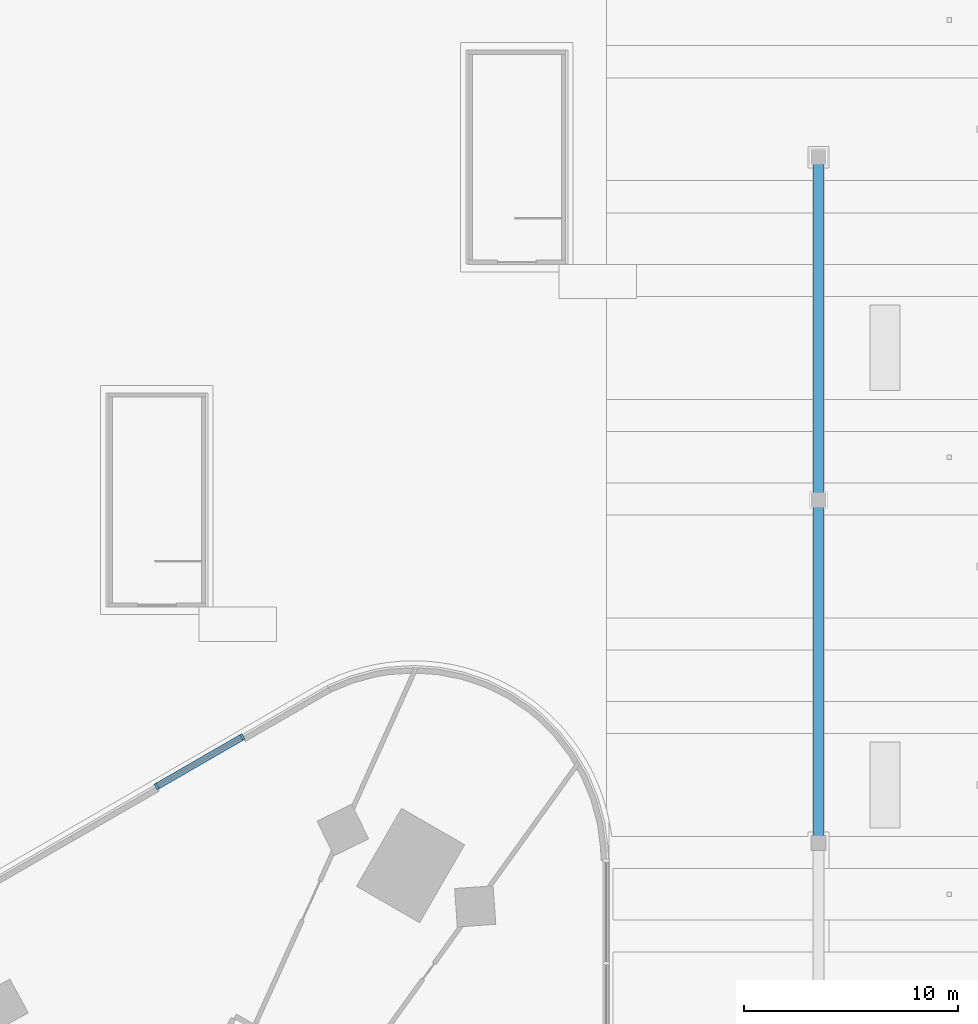
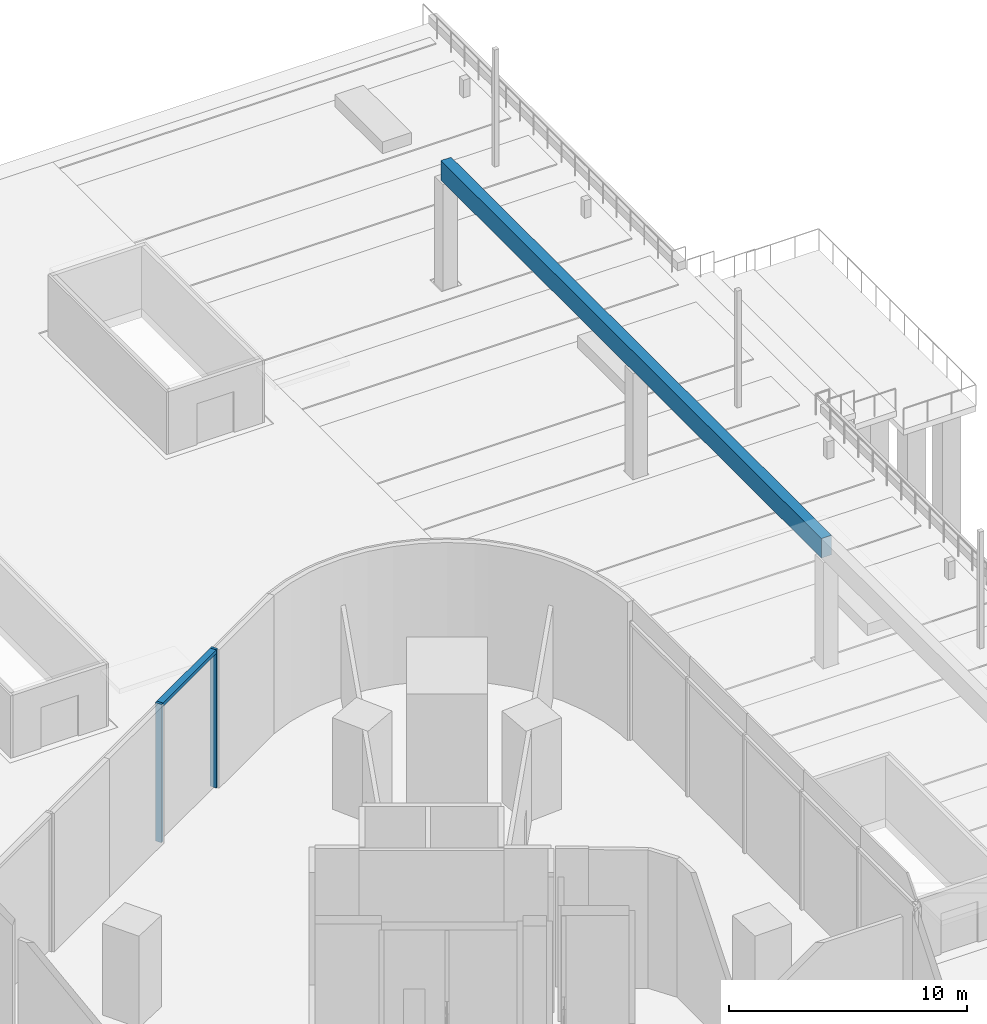
# One storey, part 8 of 41: 3 members, 1 beam, 1 element without a shape of its own.
"""IFC4 building model written with IfcOpenShell, lengths in metres."""

from ifc_helpers import new_model, si_unit, direction, frame, origin, origin_2d, place, context, subcontext, project, spatial, rectangle, extrude, material, material_profile, profile_set, type_object, element, aggregate, save


model = new_model("IFC4")

# Units and contexts
model_context = context("Model", 3, precision=1e-05, world=origin(), true_north=direction((0.0, 1.0)))
body_context = subcontext(model_context, "Body", "Model", "MODEL_VIEW")
ifc_project = project(units=[si_unit("LENGTHUNIT", "METRE"), si_unit("AREAUNIT", "SQUARE_METRE"), si_unit("VOLUMEUNIT", "CUBIC_METRE"), si_unit("PLANEANGLEUNIT", "RADIAN"), si_unit("MASSUNIT", "GRAM", prefix="KILO")], contexts=[model_context])

# Site, building, storey
site_placement = place(None, origin())
site = spatial("IfcSite", under=ifc_project, at=site_placement, CompositionType="ELEMENT")
building_placement = place(site_placement, origin())
building = spatial("IfcBuilding", under=site, at=building_placement, Name="Tamra Quay Hotel Tower", CompositionType="ELEMENT")
storey_placement = place(building_placement, origin())
storey = spatial("IfcBuildingStorey", under=building, at=storey_placement, Name="L00", CompositionType="ELEMENT", Elevation=0.0)

# Curtain wall, members
ifc_material_1 = material(Name="Aluminium 6063 anodised dark grey", Category="aluminium")
curtain_wall_type = type_object("IfcCurtainWallType", Name="CW4 CURTAIN WALL", PredefinedType="NOTDEFINED", material=ifc_material_1)
curtain_wall_placement = place(storey_placement, origin())
curtain_wall = element("IfcCurtainWall", 1, at=curtain_wall_placement, inside=storey, type_object=curtain_wall_type, Name="CW4 north-west face L00", PredefinedType="NOTDEFINED")
ifc_material_profile_1 = material_profile(ifc_material_1, rectangle(XDim=0.300048828125, YDim=0.1201171875, at=origin_2d()), Name="MULLION 120X300")
ifc_profile_set_1 = profile_set([ifc_material_profile_1], Name="Aluminium 6063 anodised dark grey")
member_type_1 = type_object("IfcMemberType", Name="MULLION CW4", PredefinedType="MULLION", material=ifc_profile_set_1)
member_1_placement = place(storey_placement, frame((10.017578125, 36.9404296875, 0.0), z_axis=(0.0, 0.0, 1.0), x_axis=(-0.499671576337, 0.866214936261, 0.0)))
member_1 = element("IfcMember", 2, at=member_1_placement, type_object=member_type_1, Name="CW4 mullion L00.NW.1", PredefinedType="MULLION", context=body_context, shape_type="SweptSolid", body=[
    extrude(rectangle(XDim=0.300048828125, YDim=0.1201171875, at=origin_2d()), origin(), (0.0, 0.0, 1.0), 7.10009765625),
])
member_2_placement = place(storey_placement, frame((6.015869140625, 34.632080078125, 0.0), z_axis=(0.0, 0.0, 1.0), x_axis=(-0.499671576337, 0.866214936261, 0.0)))
member_2 = element("IfcMember", 3, at=member_2_placement, type_object=member_type_1, Name="CW4 mullion L00.NW.2", PredefinedType="MULLION", context=body_context, shape_type="SweptSolid", body=[
    extrude(rectangle(XDim=0.300048828125, YDim=0.1201171875, at=origin_2d()), origin(), (0.0, 0.0, 1.0), 7.10009765625),
])

# Beam
ifc_material_2 = material(Name="Concrete M60", Category="concrete")
ifc_material_profile_2 = material_profile(ifc_material_2, rectangle(XDim=0.5, YDim=1.0, at=origin_2d()), Name="Concrete M60")
ifc_profile_set_2 = profile_set([ifc_material_profile_2], Name="Concrete M60")
beam_type = type_object("IfcBeamType", Name="QUAY ENTABLATURE BEAM 500X1000", PredefinedType="BEAM", material=ifc_profile_set_2)
beam_placement = place(storey_placement, frame((36.89990234375, 32.0, 5.89990234375), z_axis=(0.0, 1.0, 0.0), x_axis=(-1.0, 0.0, 0.0)))
element("IfcBeam", 4, at=beam_placement, inside=storey, type_object=beam_type, Name="Quay entablature beam north", PredefinedType="BEAM", context=body_context, shape_type="SweptSolid", body=[
    extrude(rectangle(XDim=0.5, YDim=1.0, at=origin_2d()), origin(), (0.0, 0.0, 1.0), 32.0),
])

# Member
ifc_material_profile_3 = material_profile(ifc_material_1, rectangle(XDim=0.300048828125, YDim=0.179931640625, at=origin_2d()), Name="TRANSOM 300X180")
ifc_profile_set_3 = profile_set([ifc_material_profile_3], Name="Aluminium 6063 anodised dark grey")
member_type_2 = type_object("IfcMemberType", Name="TRANSOM CW4", PredefinedType="USERDEFINED", material=ifc_profile_set_3)
member_3_placement = place(storey_placement, frame((9.965576171875, 36.910400390625, 7.010009765625), z_axis=(-0.866199134709, -0.49969896841, 0.0), x_axis=(0.49969896841, -0.866199134709, 0.0)))
member_3 = element("IfcMember", 5, at=member_3_placement, type_object=member_type_2, Name="CW4 transom L00.NW.1", ObjectType="TRANSOM", PredefinedType="USERDEFINED", context=body_context, shape_type="SweptSolid", body=[
    extrude(rectangle(XDim=0.300048828125, YDim=0.179931640625, at=origin_2d()), origin(), (0.0, 0.0, 1.0), 4.499755859375),
])

aggregate(curtain_wall, [member_1, member_3, member_2])

save(model, "model.ifc")
